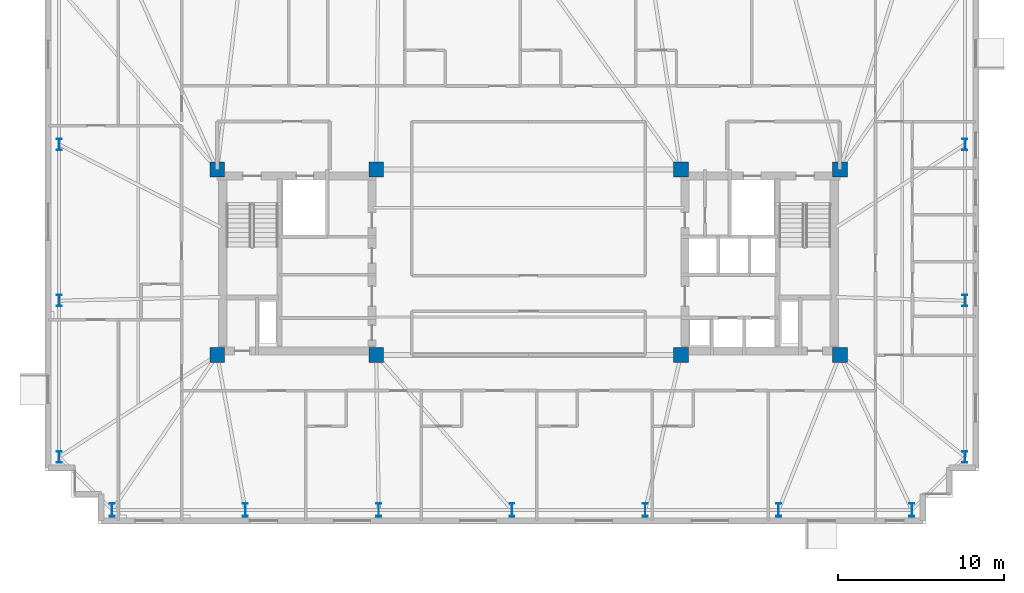
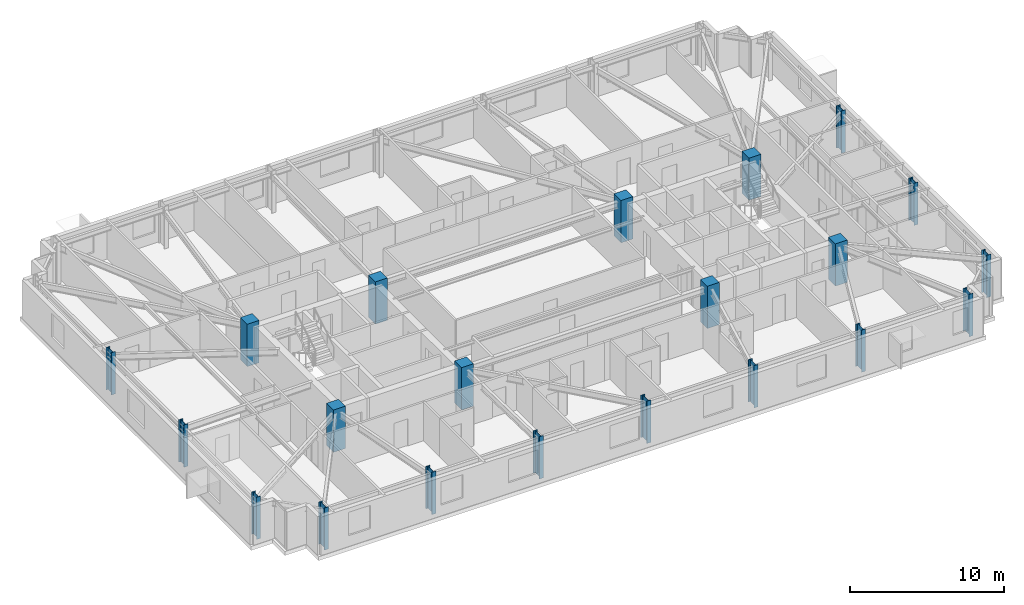
# One storey, part 1 of 17: 21 columns.
"""IFC4 building model written with IfcOpenShell, lengths in metres."""

from ifc_helpers import new_model, si_unit, direction, frame, origin, origin_2d, place, context, subcontext, project, spatial, rectangle, i_section, extrude, material, material_profile, profile_set, type_object, element, save


model = new_model("IFC4")

# Units and contexts
model_context = context("Model", 3, precision=1e-05, world=origin(), true_north=direction((0.0, 1.0)))
body_context = subcontext(model_context, "Body", "Model", "MODEL_VIEW")
ifc_project = project(units=[si_unit("LENGTHUNIT", "METRE"), si_unit("AREAUNIT", "SQUARE_METRE"), si_unit("VOLUMEUNIT", "CUBIC_METRE"), si_unit("PLANEANGLEUNIT", "RADIAN"), si_unit("MASSUNIT", "GRAM", prefix="KILO")], contexts=[model_context])

# Site, building, storey
site_placement = place(None, origin())
site = spatial("IfcSite", under=ifc_project, at=site_placement, CompositionType="ELEMENT")
building_placement = place(site_placement, origin())
building = spatial("IfcBuilding", under=site, at=building_placement, Name="Qobustan Lattice House", CompositionType="ELEMENT")
storey_placement = place(building_placement, frame((0.0, 0.0, 157.800048828125)))
storey = spatial("IfcBuildingStorey", under=building, at=storey_placement, Name="L44", CompositionType="ELEMENT", Elevation=157.800048828125)

# Columns
ifc_material_1 = material(Name="Concrete C50/60", Category="concrete")
ifc_material_profile_1 = material_profile(ifc_material_1, rectangle(XDim=0.89990234375, YDim=0.89990234375, at=origin_2d()), Name="RC900x900")
ifc_profile_set_1 = profile_set([ifc_material_profile_1], Name="Concrete C50/60")
column_type_1 = type_object("IfcColumnType", Name="COL-RC-900", PredefinedType="COLUMN", material=ifc_profile_set_1)
for number, where, z_axis, x_axis, name in (
    (1, (-18.800048828125, -5.60009765625, 0.0), (0.0, 0.0, 1.0), (1.0, 0.0, 0.0), "L44 core mega-column CW-SW"),
    (2, (-18.800048828125, 5.60009765625, 0.0), (0.0, 0.0, 1.0), (1.0, 0.0, 0.0), "L44 core mega-column CW-NW"),
    (3, (-9.199951171875, -5.60009765625, 0.0), (0.0, 0.0, 1.0), (1.0, 0.0, 0.0), "L44 core mega-column CW-SE"),
    (4, (-9.199951171875, 5.60009765625, 0.0), (0.0, 0.0, 1.0), (1.0, 0.0, 0.0), "L44 core mega-column CW-NE"),
    (5, (9.199951171875, -5.60009765625, 0.0), (0.0, 0.0, 1.0), (1.0, 0.0, 0.0), "L44 core mega-column CE-SW"),
    (6, (9.199951171875, 5.60009765625, 0.0), (0.0, 0.0, 1.0), (1.0, 0.0, 0.0), "L44 core mega-column CE-NW"),
    (7, (18.800048828125, -5.60009765625, 0.0), (0.0, 0.0, 1.0), (1.0, 0.0, 0.0), "L44 core mega-column CE-SE"),
    (8, (18.800048828125, 5.60009765625, 0.0), (0.0, 0.0, 1.0), (1.0, 0.0, 0.0), "L44 core mega-column CE-NE"),
):
    element("IfcColumn", number, at=place(storey_placement, frame(where, z_axis=z_axis, x_axis=x_axis)), inside=storey, type_object=column_type_1, Name=name, PredefinedType="COLUMN", context=body_context, shape_type="SweptSolid", body=[
        extrude(rectangle(XDim=0.89990234375, YDim=0.89990234375, at=origin_2d()), origin(), (0.0, 0.0, 1.0), 3.349853515625),
    ])
ifc_material_2 = material(Name="Steel S355", Category="steel")
ifc_material_profile_2 = material_profile(ifc_material_2, i_section(OverallWidth=0.300048828125, OverallDepth=0.699951171875, WebThickness=0.01708984375, FlangeThickness=0.031982421875, FilletRadius=0.027099609375, at=origin_2d()), Name="HEB700")
ifc_profile_set_2 = profile_set([ifc_material_profile_2], Name="Steel S355")
column_type_2 = type_object("IfcColumnType", Name="COL-ST-HEB700", PredefinedType="COLUMN", material=ifc_profile_set_2)
for number, where, z_axis, x_axis, name in (
    (9, (26.35009765625, -11.75, 0.0), (0.0, 0.0, 1.0), (1.0, 0.0, 0.0), "L44 B3 perimeter column E1"),
    (10, (26.35009765625, -2.316650390625, 0.0), (0.0, 0.0, 1.0), (1.0, 0.0, 0.0), "L44 B3 perimeter column E2"),
    (11, (26.35009765625, 7.11669921875, 0.0), (0.0, 0.0, 1.0), (1.0, 0.0, 0.0), "L44 B3 perimeter column E3"),
    (12, (-28.35009765625, 7.11669921875, 0.0), (0.0, 0.0, 1.0), (1.0, 0.0, 0.0), "L44 B3 perimeter column W2"),
    (13, (-28.35009765625, -2.316650390625, 0.0), (0.0, 0.0, 1.0), (1.0, 0.0, 0.0), "L44 B3 perimeter column W3"),
    (14, (-28.35009765625, -11.75, 0.0), (0.0, 0.0, 1.0), (1.0, 0.0, 0.0), "L44 B3 perimeter column W4"),
):
    element("IfcColumn", number, at=place(storey_placement, frame(where, z_axis=z_axis, x_axis=x_axis)), inside=storey, type_object=column_type_2, Name=name, PredefinedType="COLUMN", context=body_context, shape_type="SweptSolid", body=[
        extrude(i_section(OverallWidth=0.300048828125, OverallDepth=0.699951171875, WebThickness=0.01708984375, FlangeThickness=0.031982421875, FilletRadius=0.027099609375, at=origin_2d()), origin(), (0.0, 0.0, 1.0), 3.349853515625),
    ])
ifc_material_3 = material(Name="Steel S355", Category="steel")
ifc_material_profile_3 = material_profile(ifc_material_3, i_section(OverallWidth=0.300048828125, OverallDepth=0.800048828125, WebThickness=0.017578125, FlangeThickness=0.032958984375, FilletRadius=0.030029296875, at=origin_2d()), Name="HEB800")
ifc_profile_set_3 = profile_set([ifc_material_profile_3], Name="Steel S355")
column_type_3 = type_object("IfcColumnType", Name="COL-ST-HEB800", PredefinedType="COLUMN", material=ifc_profile_set_3)
for number, where, z_axis, x_axis, name in (
    (15, (-25.14990234375, -14.949951171875, 0.0), (0.0, 0.0, 1.0), (1.0, 0.0, 0.0), "L44 B3 perimeter column S1"),
    (16, (-17.10009765625, -14.949951171875, 0.0), (0.0, 0.0, 1.0), (1.0, 0.0, 0.0), "L44 B3 perimeter column S2"),
    (17, (-9.050048828125, -14.949951171875, 0.0), (0.0, 0.0, 1.0), (1.0, 0.0, 0.0), "L44 B3 perimeter column S3"),
    (18, (-1.0, -14.949951171875, 0.0), (0.0, 0.0, 1.0), (1.0, 0.0, 0.0), "L44 B3 perimeter column S4"),
    (19, (7.050048828125, -14.949951171875, 0.0), (0.0, 0.0, 1.0), (1.0, 0.0, 0.0), "L44 B3 perimeter column S5"),
    (20, (15.10009765625, -14.949951171875, 0.0), (0.0, 0.0, 1.0), (1.0, 0.0, 0.0), "L44 B3 perimeter column S6"),
    (21, (23.14990234375, -14.949951171875, 0.0), (0.0, 0.0, 1.0), (1.0, 0.0, 0.0), "L44 B3 perimeter column S7"),
):
    element("IfcColumn", number, at=place(storey_placement, frame(where, z_axis=z_axis, x_axis=x_axis)), inside=storey, type_object=column_type_3, Name=name, PredefinedType="COLUMN", context=body_context, shape_type="SweptSolid", body=[
        extrude(i_section(OverallWidth=0.300048828125, OverallDepth=0.800048828125, WebThickness=0.017578125, FlangeThickness=0.032958984375, FilletRadius=0.030029296875, at=origin_2d()), origin(), (0.0, 0.0, 1.0), 3.349853515625),
    ])

save(model, "model.ifc")
